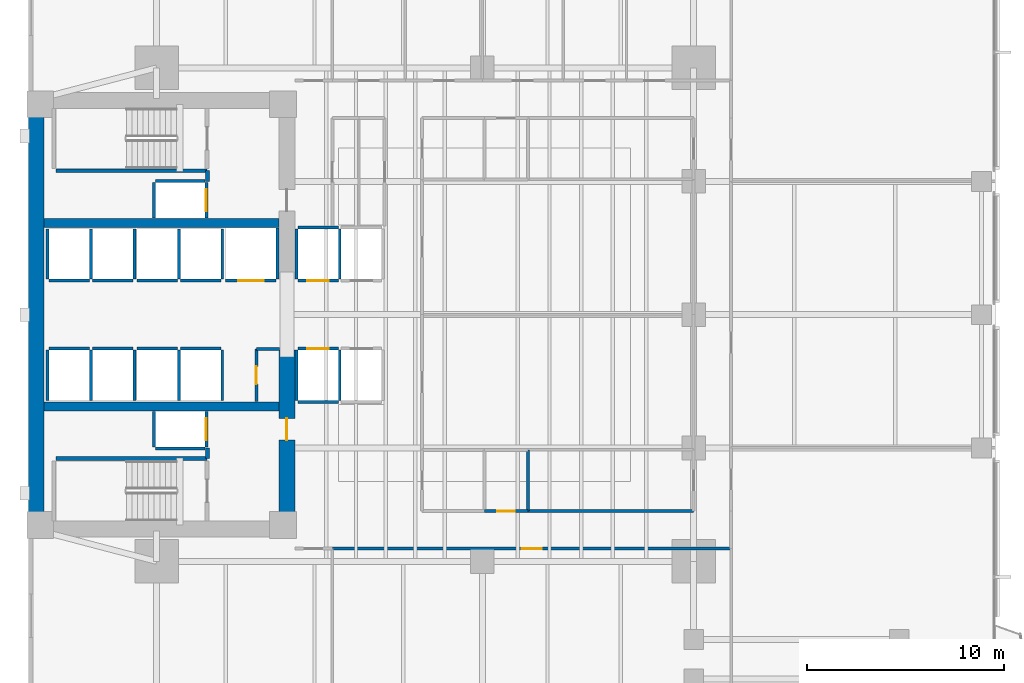
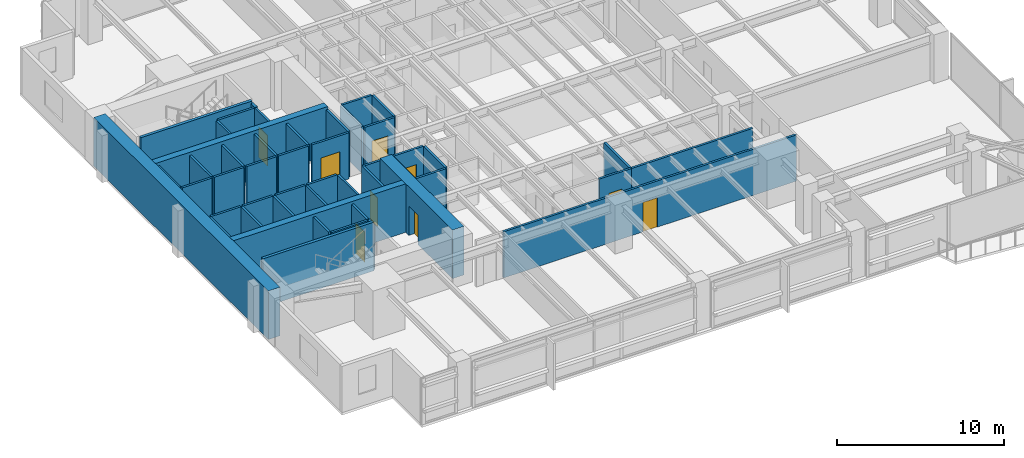
# One storey, part 8 of 15: 48 walls, 9 doors, 9 openings.
"""IFC4 building model written with IfcOpenShell, lengths in metres."""

from ifc_helpers import new_model, si_unit, direction, frame, frame_2d, origin, place, context, subcontext, project, spatial, rectangle, extrude, material, layer, layer_set, type_object, element, fill, save


model = new_model("IFC4")

# Units and contexts
model_context = context("Model", 3, precision=1e-05, world=origin(), true_north=direction((0.0, 1.0)))
body_context = subcontext(model_context, "Body", "Model", "MODEL_VIEW")
ifc_project = project(units=[si_unit("LENGTHUNIT", "METRE"), si_unit("AREAUNIT", "SQUARE_METRE"), si_unit("VOLUMEUNIT", "CUBIC_METRE"), si_unit("PLANEANGLEUNIT", "RADIAN"), si_unit("MASSUNIT", "GRAM", prefix="KILO")], contexts=[model_context])

# Site, building, storey
site_placement = place(None, origin())
site = spatial("IfcSite", under=ifc_project, at=site_placement, CompositionType="ELEMENT")
building_placement = place(site_placement, origin())
building = spatial("IfcBuilding", under=site, at=building_placement, Name="Kinhvarn Gate Tower", CompositionType="ELEMENT")
storey_placement = place(building_placement, frame((0.0, 0.0, 54.0)))
storey = spatial("IfcBuildingStorey", under=building, at=storey_placement, Name="L13", CompositionType="ELEMENT", Elevation=54.0)

# Walls
ifc_material_1 = material(Name="Concrete C50/60", Category="concrete")
ifc_layer_1 = layer(ifc_material_1, 0.449951171875)
ifc_layer_set_1 = layer_set([ifc_layer_1], Name="Concrete C50/60")
wall_type_1 = type_object("IfcWallType", Name="WL-CORE-450", PredefinedType="SHEAR", material=ifc_layer_set_1)
for number, where, z_axis, x_axis, name in (
    (1, (5.300048828125, 20.60009765625, 0.0), (0.0, 0.0, 1.0), (1.0, 0.0, 0.0), "Core South Spine Shear Wall L13 450 mm"),
    (2, (5.300048828125, 29.89990234375, 0.0), (0.0, 0.0, 1.0), (1.0, 0.0, 0.0), "Core North Spine Shear Wall L13 450 mm"),
):
    element("IfcWall", number, at=place(storey_placement, frame(where, z_axis=z_axis, x_axis=x_axis)), inside=storey, type_object=wall_type_1, Name=name, PredefinedType="SHEAR", context=body_context, shape_type="SweptSolid", body=[
        extrude(rectangle(XDim=11.89990234375, YDim=0.449951171875, at=frame_2d((5.949951171875, 0.0))), origin(), (0.0, 0.0, 1.0), 3.550048828125),
    ])

# Wall, opening, door
ifc_material_2 = material(Name="Concrete C70/85", Category="concrete")
ifc_layer_2 = layer(ifc_material_2, 0.800048828125)
ifc_layer_set_2 = layer_set([ifc_layer_2], Name="Concrete C70/85")
wall_type_2 = type_object("IfcWallType", Name="WL-CORE-800", PredefinedType="SHEAR", material=ifc_layer_set_2)
wall_1_placement = place(storey_placement, frame((17.60009765625, 14.800048828125, 0.0), z_axis=(0.0, 0.0, 1.0), x_axis=(0.0, 1.0, 0.0)))
wall_1 = element("IfcWall", 3, at=wall_1_placement, inside=storey, type_object=wall_type_2, Name="Core East-South Shear Pier L13 800 mm", PredefinedType="SHEAR", context=body_context, shape_type="SweptSolid", body=[
    extrude(rectangle(XDim=8.64990234375, YDim=0.800048828125, at=frame_2d((4.324951171875, 0.0))), origin(), (0.0, 0.0, 1.0), 3.550048828125),
])
opening_1_placement = place(wall_1_placement, frame((4.10009765625, 0.0, 0.0)))
opening_1 = element("IfcOpeningElement", 4, at=opening_1_placement, cuts=wall_1, Name="Opening FD-02", PredefinedType="OPENING", context=body_context, shape_type="SweptSolid", body=[
    extrude(rectangle(XDim=1.10009765625, YDim=2.14990234375, at=frame_2d((0.550048828125, 1.074951171875))), frame((0.0, 0.41015625, 0.0), z_axis=(0.0, -1.0, 0.0), x_axis=(1.0, 0.0, 0.0)), (0.0, 0.0, 1.0), 0.820068359375),
])
ifc_material_3 = material(Name="Anodised aluminium AW-6063", Category="aluminium")
door_type_1 = type_object("IfcDoorType", Name="DR-FD-1100", OperationType="NOTDEFINED", PredefinedType="DOOR", material=ifc_material_3)
door_1_placement = place(opening_1_placement, origin())
door_1 = element("IfcDoor", 5, at=door_1_placement, inside=storey, type_object=door_type_1, Name="Firefighting Lobby Core Door (L13)", OperationType="SINGLE_SWING_RIGHT", OverallHeight=2.14990234375, OverallWidth=1.10009765625, PredefinedType="DOOR", context=body_context, shape_type="SweptSolid", body=[
    extrude(rectangle(XDim=1.10009765625, YDim=2.14990234375, at=frame_2d((0.550048828125, 1.074951171875))), frame((0.0, 0.02490234375, 0.0), z_axis=(0.0, -1.0, 0.0), x_axis=(1.0, 0.0, 0.0)), (0.0, 0.0, 1.0), 0.050048828125),
])
fill(opening_1, door_1)

# Walls
ifc_layer_3 = layer(ifc_material_2, 0.800048828125)
ifc_layer_set_3 = layer_set([ifc_layer_3], Name="Concrete C70/85")
wall_type_3 = type_object("IfcWallType", Name="WL-COREX-800", PredefinedType="SHEAR", material=ifc_layer_set_3)
wall_2_placement = place(storey_placement, frame((4.89990234375, 14.800048828125, 0.0), z_axis=(0.0, 0.0, 1.0), x_axis=(0.0, 1.0, 0.0)))
element("IfcWall", 6, at=wall_2_placement, inside=storey, type_object=wall_type_3, Name="Core West Shear Wall L13 800 mm", PredefinedType="SHEAR", context=body_context, shape_type="SweptSolid", body=[
    extrude(rectangle(XDim=20.89990234375, YDim=0.800048828125, at=frame_2d((10.449951171875, 0.0))), origin(), (0.0, 0.0, 1.0), 3.550048828125),
])
ifc_material_4 = material(Name="Gypsum acoustic partition board")
ifc_layer_4 = layer(ifc_material_4, 0.14990234375)
ifc_layer_set_4 = layer_set([ifc_layer_4], Name="Gypsum acoustic partition board")
wall_type_4 = type_object("IfcWallType", Name="WL-PLM-150", PredefinedType="PLUMBINGWALL", material=ifc_layer_set_4)
wall_3_placement = place(storey_placement, frame((29.800048828125, 15.300048828125, 0.0), z_axis=(0.0, 0.0, 1.0), x_axis=(0.0, 1.0, 0.0)))
element("IfcWall", 7, at=wall_3_placement, inside=storey, type_object=wall_type_4, Name="Interior Partition PLW-150 (L13)", PredefinedType="PLUMBINGWALL", context=body_context, shape_type="SweptSolid", body=[
    extrude(rectangle(XDim=3.099853515625, YDim=0.14990234375, at=frame_2d((1.5498046875, 0.0))), origin(), (0.0, 0.0, 1.0), 3.3701171875),
])

# Wall, opening, door
ifc_layer_5 = layer(ifc_material_4, 0.14990234375)
ifc_layer_set_5 = layer_set([ifc_layer_5], Name="Gypsum acoustic partition board")
wall_type_5 = type_object("IfcWallType", Name="WL-PLM-150F", PredefinedType="PLUMBINGWALL", material=ifc_layer_set_5)
wall_4_placement = place(storey_placement, frame((27.60009765625, 15.300048828125, 0.0), z_axis=(0.0, 0.0, 1.0), x_axis=(1.0, 0.0, 0.0)))
wall_4 = element("IfcWall", 8, at=wall_4_placement, inside=storey, type_object=wall_type_5, Name="Interior Partition PLW-150F (L13)", PredefinedType="PLUMBINGWALL", context=body_context, shape_type="SweptSolid", body=[
    extrude(rectangle(XDim=2.199951171875, YDim=0.14990234375, at=frame_2d((1.10009765625, 0.0))), origin(), (0.0, 0.0, 1.0), 3.3701171875),
])
opening_2_placement = place(wall_4_placement, frame((0.64990234375, 0.0, 0.0)))
opening_2 = element("IfcOpeningElement", 9, at=opening_2_placement, cuts=wall_4, Name="Opening FD-04", PredefinedType="OPENING", context=body_context, shape_type="SweptSolid", body=[
    extrude(rectangle(XDim=0.89990234375, YDim=2.10009765625, at=frame_2d((0.449951171875, 1.050048828125))), frame((0.0, 0.0849609375, 0.0), z_axis=(0.0, -1.0, 0.0), x_axis=(1.0, 0.0, 0.0)), (0.0, 0.0, 1.0), 0.169921875),
])
door_type_2 = type_object("IfcDoorType", Name="DR-FD-900", OperationType="NOTDEFINED", PredefinedType="DOOR", material=ifc_material_3)
door_2_placement = place(opening_2_placement, origin())
door_2 = element("IfcDoor", 10, at=door_2_placement, inside=storey, type_object=door_type_2, Name="Rated Riser & Service Closet Fire Door 900x2100 mm (L13)", OperationType="SINGLE_SWING_LEFT", OverallHeight=2.10009765625, OverallWidth=0.89990234375, PredefinedType="DOOR", context=body_context, shape_type="SweptSolid", body=[
    extrude(rectangle(XDim=0.89990234375, YDim=2.10009765625, at=frame_2d((0.449951171875, 1.050048828125))), frame((0.0, 0.02490234375, 0.0), z_axis=(0.0, -1.0, 0.0), x_axis=(1.0, 0.0, 0.0)), (0.0, 0.0, 1.0), 0.050048828125),
])
fill(opening_2, door_2)

ifc_layer_6 = layer(ifc_material_4, 0.14990234375)
ifc_layer_set_6 = layer_set([ifc_layer_6], Name="Gypsum acoustic partition board")
wall_type_6 = type_object("IfcWallType", Name="WL-PRT-150F", PredefinedType="PARTITIONING", material=ifc_layer_set_6)
wall_5_placement = place(storey_placement, frame((16.050048828125, 20.85009765625, 0.0), z_axis=(0.0, 0.0, 1.0), x_axis=(0.0, 1.0, 0.0)))
wall_5 = element("IfcWall", 11, at=wall_5_placement, inside=storey, type_object=wall_type_6, Name="Interior Partition PW-150F (L13)", PredefinedType="PARTITIONING", context=body_context, shape_type="SweptSolid", body=[
    extrude(rectangle(XDim=2.669921875, YDim=0.14990234375, at=frame_2d((1.3349609375, 0.0))), origin(), (0.0, 0.0, 1.0), 3.3701171875),
])
opening_3_placement = place(wall_5_placement, frame((0.885009765625, 0.0, 0.0)))
opening_3 = element("IfcOpeningElement", 12, at=opening_3_placement, cuts=wall_5, Name="Opening FD-04", PredefinedType="OPENING", context=body_context, shape_type="SweptSolid", body=[
    extrude(rectangle(XDim=0.89990234375, YDim=2.10009765625, at=frame_2d((0.449951171875, 1.050048828125))), frame((0.0, 0.0849609375, 0.0), z_axis=(0.0, -1.0, 0.0), x_axis=(1.0, 0.0, 0.0)), (0.0, 0.0, 1.0), 0.169921875),
])
door_3_placement = place(opening_3_placement, origin())
door_3 = element("IfcDoor", 13, at=door_3_placement, inside=storey, type_object=door_type_2, Name="Rated Riser & Service Closet Fire Door 900x2100 mm (L13)", OperationType="SINGLE_SWING_RIGHT", OverallHeight=2.10009765625, OverallWidth=0.89990234375, PredefinedType="DOOR", context=body_context, shape_type="SweptSolid", body=[
    extrude(rectangle(XDim=0.89990234375, YDim=2.10009765625, at=frame_2d((0.449951171875, 1.050048828125))), frame((0.0, 0.02490234375, 0.0), z_axis=(0.0, -1.0, 0.0), x_axis=(1.0, 0.0, 0.0)), (0.0, 0.0, 1.0), 0.050048828125),
])
fill(opening_3, door_3)

# Walls
wall_6_placement = place(storey_placement, frame((16.050048828125, 23.52001953125, 0.0), z_axis=(0.0, 0.0, 1.0), x_axis=(1.0, 0.0, 0.0)))
element("IfcWall", 14, at=wall_6_placement, inside=storey, type_object=wall_type_6, Name="Interior Partition PW-150F (L13)", PredefinedType="PARTITIONING", context=body_context, shape_type="SweptSolid", body=[
    extrude(rectangle(XDim=1.169921875, YDim=0.14990234375, at=frame_2d((0.5849609375, 0.0))), origin(), (0.0, 0.0, 1.0), 3.3701171875),
])
wall_7_placement = place(storey_placement, frame((29.800048828125, 15.300048828125, 0.0), z_axis=(0.0, 0.0, 1.0), x_axis=(1.0, 0.0, 0.0)))
element("IfcWall", 15, at=wall_7_placement, inside=storey, type_object=wall_type_6, Name="Interior Partition PW-150F (L13)", PredefinedType="PARTITIONING", context=body_context, shape_type="SweptSolid", body=[
    extrude(rectangle(XDim=8.39990234375, YDim=0.14990234375, at=frame_2d((4.199951171875, 0.0))), origin(), (0.0, 0.0, 1.0), 3.3701171875),
])

# Wall, opening, door
wall_8_placement = place(storey_placement, frame((19.89990234375, 13.39990234375, 0.0), z_axis=(0.0, 0.0, 1.0), x_axis=(1.0, 0.0, 0.0)))
wall_8 = element("IfcWall", 16, at=wall_8_placement, inside=storey, type_object=wall_type_6, Name="Interior Partition PW-150F (L13)", PredefinedType="PARTITIONING", context=body_context, shape_type="SweptSolid", body=[
    extrude(rectangle(XDim=20.2001953125, YDim=0.14990234375, at=frame_2d((10.10009765625, 0.0))), origin(), (0.0, 0.0, 1.0), 3.3701171875),
])
opening_4_placement = place(wall_8_placement, frame((9.60009765625, 0.0, 0.0)))
opening_4 = element("IfcOpeningElement", 17, at=opening_4_placement, cuts=wall_8, Name="Opening ID-02", PredefinedType="OPENING", context=body_context, shape_type="SweptSolid", body=[
    extrude(rectangle(XDim=1.0, YDim=2.14990234375, at=frame_2d((0.5, 1.074951171875))), frame((0.0, 0.0849609375, 0.0), z_axis=(0.0, -1.0, 0.0), x_axis=(1.0, 0.0, 0.0)), (0.0, 0.0, 1.0), 0.169921875),
])
door_type_3 = type_object("IfcDoorType", Name="DR-INT-1000", OperationType="NOTDEFINED", PredefinedType="DOOR", material=ifc_material_3)
door_4_placement = place(opening_4_placement, origin())
door_4 = element("IfcDoor", 18, at=door_4_placement, inside=storey, type_object=door_type_3, Name="Standard Office & Meeting Room Door 1000x2150 mm (L13)", OperationType="SINGLE_SWING_LEFT", OverallHeight=2.14990234375, OverallWidth=1.0, PredefinedType="DOOR", context=body_context, shape_type="SweptSolid", body=[
    extrude(rectangle(XDim=1.0, YDim=2.14990234375, at=frame_2d((0.5, 1.074951171875))), frame((0.0, 0.02490234375, 0.0), z_axis=(0.0, -1.0, 0.0), x_axis=(1.0, 0.0, 0.0)), (0.0, 0.0, 1.0), 0.050048828125),
])
fill(opening_4, door_4)

# Walls
ifc_layer_7 = layer(ifc_material_4, 0.199951171875)
ifc_layer_set_7 = layer_set([ifc_layer_7], Name="Gypsum acoustic partition board")
wall_type_7 = type_object("IfcWallType", Name="WL-PRT-200", PredefinedType="PARTITIONING", material=ifc_layer_set_7)
for number, where, z_axis, x_axis, name in (
    (19, (13.580078125, 17.9599609375, 0.0), (0.0, 0.0, 1.0), (0.0, 1.0, 0.0), "Interior Partition PW-200 (L13)"),
    (20, (13.580078125, 32.0, 0.0), (0.0, 0.0, 1.0), (0.0, 1.0, 0.0), "Interior Partition PW-200 (L13)"),
):
    element("IfcWall", number, at=place(storey_placement, frame(where, z_axis=z_axis, x_axis=x_axis)), inside=storey, type_object=wall_type_7, Name=name, PredefinedType="PARTITIONING", context=body_context, shape_type="SweptSolid", body=[
        extrude(rectangle(XDim=0.5400390625, YDim=0.199951171875, at=frame_2d((0.27001953125, 0.0))), origin(), (0.0, 0.0, 1.0), 3.3701171875),
    ])
ifc_layer_8 = layer(ifc_material_4, 0.14990234375)
ifc_layer_set_8 = layer_set([ifc_layer_8], Name="Gypsum acoustic partition board")
wall_type_8 = type_object("IfcWallType", Name="WL-SHF-150", PredefinedType="PARTITIONING", material=ifc_layer_set_8)
wall_9_placement = place(storey_placement, frame((18.14990234375, 20.824951171875, 0.0), z_axis=(0.0, 0.0, 1.0), x_axis=(1.0, 0.0, 0.0)))
element("IfcWall", 21, at=wall_9_placement, inside=storey, type_object=wall_type_8, Name="Elevator PL-01 Hoistway Wall S (L13)", PredefinedType="PARTITIONING", context=body_context, shape_type="SweptSolid", body=[
    extrude(rectangle(XDim=2.050048828125, YDim=0.14990234375, at=frame_2d((1.02490234375, 0.0))), origin(), (0.0, 0.0, 1.0), 3.3701171875),
])

# Wall, opening, door
wall_10_placement = place(storey_placement, frame((18.14990234375, 23.52490234375, 0.0), z_axis=(0.0, 0.0, 1.0), x_axis=(1.0, 0.0, 0.0)))
wall_10 = element("IfcWall", 22, at=wall_10_placement, inside=storey, type_object=wall_type_8, Name="Elevator PL-01 Landing Wall (L13)", PredefinedType="PARTITIONING", context=body_context, shape_type="SweptSolid", body=[
    extrude(rectangle(XDim=2.050048828125, YDim=0.14990234375, at=frame_2d((1.02490234375, 0.0))), origin(), (0.0, 0.0, 1.0), 3.3701171875),
])
opening_5_placement = place(wall_10_placement, frame((0.47509765625, 0.0, 0.0)))
opening_5 = element("IfcOpeningElement", 23, at=opening_5_placement, cuts=wall_10, Name="Opening LD-01", PredefinedType="OPENING", context=body_context, shape_type="SweptSolid", body=[
    extrude(rectangle(XDim=1.10009765625, YDim=2.199951171875, at=frame_2d((0.550048828125, 1.10009765625))), frame((0.0, 0.0849609375, 0.0), z_axis=(0.0, -1.0, 0.0), x_axis=(1.0, 0.0, 0.0)), (0.0, 0.0, 1.0), 0.169921875),
])
door_type_4 = type_object("IfcDoorType", Name="DR-LND-PAS", OperationType="NOTDEFINED", PredefinedType="DOOR", material=ifc_material_3)
door_5_placement = place(opening_5_placement, origin())
door_5 = element("IfcDoor", 24, at=door_5_placement, inside=storey, type_object=door_type_4, Name="Elevator PL-01 Sliding Landing Door (L13)", OperationType="DOUBLE_DOOR_SLIDING", OverallHeight=2.199951171875, OverallWidth=1.10009765625, PredefinedType="DOOR", context=body_context, shape_type="SweptSolid", body=[
    extrude(rectangle(XDim=1.10009765625, YDim=2.199951171875, at=frame_2d((0.550048828125, 1.10009765625))), frame((0.0, 0.02490234375, 0.0), z_axis=(0.0, -1.0, 0.0), x_axis=(1.0, 0.0, 0.0)), (0.0, 0.0, 1.0), 0.050048828125),
])
fill(opening_5, door_5)

# Walls
for number, where, z_axis, x_axis, name in (
    (25, (18.074951171875, 20.89990234375, 0.0), (0.0, 0.0, 1.0), (0.0, 1.0, 0.0), "Elevator PL-01 Hoistway Wall W (L13)"),
    (26, (20.27490234375, 20.89990234375, 0.0), (0.0, 0.0, 1.0), (0.0, 1.0, 0.0), "Elevator PL-01 Hoistway Wall E (L13)"),
):
    element("IfcWall", number, at=place(storey_placement, frame(where, z_axis=z_axis, x_axis=x_axis)), inside=storey, type_object=wall_type_8, Name=name, PredefinedType="PARTITIONING", context=body_context, shape_type="SweptSolid", body=[
        extrude(rectangle(XDim=2.550048828125, YDim=0.14990234375, at=frame_2d((1.27490234375, 0.0))), origin(), (0.0, 0.0, 1.0), 3.3701171875),
    ])

# Wall, opening, door
wall_11_placement = place(storey_placement, frame((18.14990234375, 26.97509765625, 0.0), z_axis=(0.0, 0.0, 1.0), x_axis=(1.0, 0.0, 0.0)))
wall_11 = element("IfcWall", 27, at=wall_11_placement, inside=storey, type_object=wall_type_8, Name="Elevator PL-03 Landing Wall (L13)", PredefinedType="PARTITIONING", context=body_context, shape_type="SweptSolid", body=[
    extrude(rectangle(XDim=2.050048828125, YDim=0.14990234375, at=frame_2d((1.02490234375, 0.0))), origin(), (0.0, 0.0, 1.0), 3.3701171875),
])
opening_6_placement = place(wall_11_placement, frame((0.47509765625, 0.0, 0.0)))
opening_6 = element("IfcOpeningElement", 28, at=opening_6_placement, cuts=wall_11, Name="Opening LD-01", PredefinedType="OPENING", context=body_context, shape_type="SweptSolid", body=[
    extrude(rectangle(XDim=1.10009765625, YDim=2.199951171875, at=frame_2d((0.550048828125, 1.10009765625))), frame((0.0, 0.0849609375, 0.0), z_axis=(0.0, -1.0, 0.0), x_axis=(1.0, 0.0, 0.0)), (0.0, 0.0, 1.0), 0.169921875),
])
door_6_placement = place(opening_6_placement, origin())
door_6 = element("IfcDoor", 29, at=door_6_placement, inside=storey, type_object=door_type_4, Name="Elevator PL-03 Sliding Landing Door (L13)", OperationType="DOUBLE_DOOR_SLIDING", OverallHeight=2.199951171875, OverallWidth=1.10009765625, PredefinedType="DOOR", context=body_context, shape_type="SweptSolid", body=[
    extrude(rectangle(XDim=1.10009765625, YDim=2.199951171875, at=frame_2d((0.550048828125, 1.10009765625))), frame((0.0, 0.02490234375, 0.0), z_axis=(0.0, -1.0, 0.0), x_axis=(1.0, 0.0, 0.0)), (0.0, 0.0, 1.0), 0.050048828125),
])
fill(opening_6, door_6)

# Walls
wall_12_placement = place(storey_placement, frame((18.14990234375, 29.675048828125, 0.0), z_axis=(0.0, 0.0, 1.0), x_axis=(1.0, 0.0, 0.0)))
element("IfcWall", 30, at=wall_12_placement, inside=storey, type_object=wall_type_8, Name="Elevator PL-03 Hoistway Wall N (L13)", PredefinedType="PARTITIONING", context=body_context, shape_type="SweptSolid", body=[
    extrude(rectangle(XDim=2.050048828125, YDim=0.14990234375, at=frame_2d((1.02490234375, 0.0))), origin(), (0.0, 0.0, 1.0), 3.3701171875),
])
for number, where, z_axis, x_axis, name in (
    (31, (18.074951171875, 27.050048828125, 0.0), (0.0, 0.0, 1.0), (0.0, 1.0, 0.0), "Elevator PL-03 Hoistway Wall W (L13)"),
    (32, (20.27490234375, 27.050048828125, 0.0), (0.0, 0.0, 1.0), (0.0, 1.0, 0.0), "Elevator PL-03 Hoistway Wall E (L13)"),
):
    element("IfcWall", number, at=place(storey_placement, frame(where, z_axis=z_axis, x_axis=x_axis)), inside=storey, type_object=wall_type_8, Name=name, PredefinedType="PARTITIONING", context=body_context, shape_type="SweptSolid", body=[
        extrude(rectangle(XDim=2.550048828125, YDim=0.14990234375, at=frame_2d((1.27490234375, 0.0))), origin(), (0.0, 0.0, 1.0), 3.3701171875),
    ])
wall_13_placement = place(storey_placement, frame((5.550048828125, 23.52490234375, 0.0), z_axis=(0.0, 0.0, 1.0), x_axis=(1.0, 0.0, 0.0)))
element("IfcWall", 33, at=wall_13_placement, inside=storey, type_object=wall_type_8, Name="Elevator PM-05 Landing Wall (L13)", PredefinedType="PARTITIONING", context=body_context, shape_type="SweptSolid", body=[
    extrude(rectangle(XDim=2.050048828125, YDim=0.14990234375, at=frame_2d((1.02490234375, 0.0))), origin(), (0.0, 0.0, 1.0), 3.3701171875),
])
for number, where, z_axis, x_axis, name in (
    (34, (5.47509765625, 20.89990234375, 0.0), (0.0, 0.0, 1.0), (0.0, 1.0, 0.0), "Elevator PM-05 Hoistway Wall W (L13)"),
    (35, (7.675048828125, 20.89990234375, 0.0), (0.0, 0.0, 1.0), (0.0, 1.0, 0.0), "Elevator PM-05 Hoistway Wall E (L13)"),
):
    element("IfcWall", number, at=place(storey_placement, frame(where, z_axis=z_axis, x_axis=x_axis)), inside=storey, type_object=wall_type_8, Name=name, PredefinedType="PARTITIONING", context=body_context, shape_type="SweptSolid", body=[
        extrude(rectangle(XDim=2.550048828125, YDim=0.14990234375, at=frame_2d((1.27490234375, 0.0))), origin(), (0.0, 0.0, 1.0), 3.3701171875),
    ])
wall_14_placement = place(storey_placement, frame((7.75, 23.52490234375, 0.0), z_axis=(0.0, 0.0, 1.0), x_axis=(1.0, 0.0, 0.0)))
element("IfcWall", 36, at=wall_14_placement, inside=storey, type_object=wall_type_8, Name="Elevator PM-06 Landing Wall (L13)", PredefinedType="PARTITIONING", context=body_context, shape_type="SweptSolid", body=[
    extrude(rectangle(XDim=2.050048828125, YDim=0.14990234375, at=frame_2d((1.02490234375, 0.0))), origin(), (0.0, 0.0, 1.0), 3.3701171875),
])
wall_15_placement = place(storey_placement, frame((9.875, 20.89990234375, 0.0), z_axis=(0.0, 0.0, 1.0), x_axis=(0.0, 1.0, 0.0)))
element("IfcWall", 37, at=wall_15_placement, inside=storey, type_object=wall_type_8, Name="Elevator PM-06 Hoistway Wall E (L13)", PredefinedType="PARTITIONING", context=body_context, shape_type="SweptSolid", body=[
    extrude(rectangle(XDim=2.550048828125, YDim=0.14990234375, at=frame_2d((1.27490234375, 0.0))), origin(), (0.0, 0.0, 1.0), 3.3701171875),
])
wall_16_placement = place(storey_placement, frame((5.550048828125, 26.97509765625, 0.0), z_axis=(0.0, 0.0, 1.0), x_axis=(1.0, 0.0, 0.0)))
element("IfcWall", 38, at=wall_16_placement, inside=storey, type_object=wall_type_8, Name="Elevator PM-07 Landing Wall (L13)", PredefinedType="PARTITIONING", context=body_context, shape_type="SweptSolid", body=[
    extrude(rectangle(XDim=2.050048828125, YDim=0.14990234375, at=frame_2d((1.02490234375, 0.0))), origin(), (0.0, 0.0, 1.0), 3.3701171875),
])
for number, where, z_axis, x_axis, name in (
    (39, (5.47509765625, 27.050048828125, 0.0), (0.0, 0.0, 1.0), (0.0, 1.0, 0.0), "Elevator PM-07 Hoistway Wall W (L13)"),
    (40, (7.675048828125, 27.050048828125, 0.0), (0.0, 0.0, 1.0), (0.0, 1.0, 0.0), "Elevator PM-07 Hoistway Wall E (L13)"),
):
    element("IfcWall", number, at=place(storey_placement, frame(where, z_axis=z_axis, x_axis=x_axis)), inside=storey, type_object=wall_type_8, Name=name, PredefinedType="PARTITIONING", context=body_context, shape_type="SweptSolid", body=[
        extrude(rectangle(XDim=2.550048828125, YDim=0.14990234375, at=frame_2d((1.27490234375, 0.0))), origin(), (0.0, 0.0, 1.0), 3.3701171875),
    ])
wall_17_placement = place(storey_placement, frame((7.75, 26.97509765625, 0.0), z_axis=(0.0, 0.0, 1.0), x_axis=(1.0, 0.0, 0.0)))
element("IfcWall", 41, at=wall_17_placement, inside=storey, type_object=wall_type_8, Name="Elevator PM-08 Landing Wall (L13)", PredefinedType="PARTITIONING", context=body_context, shape_type="SweptSolid", body=[
    extrude(rectangle(XDim=2.050048828125, YDim=0.14990234375, at=frame_2d((1.02490234375, 0.0))), origin(), (0.0, 0.0, 1.0), 3.3701171875),
])
wall_18_placement = place(storey_placement, frame((9.875, 27.050048828125, 0.0), z_axis=(0.0, 0.0, 1.0), x_axis=(0.0, 1.0, 0.0)))
element("IfcWall", 42, at=wall_18_placement, inside=storey, type_object=wall_type_8, Name="Elevator PM-08 Hoistway Wall E (L13)", PredefinedType="PARTITIONING", context=body_context, shape_type="SweptSolid", body=[
    extrude(rectangle(XDim=2.550048828125, YDim=0.14990234375, at=frame_2d((1.27490234375, 0.0))), origin(), (0.0, 0.0, 1.0), 3.3701171875),
])
wall_19_placement = place(storey_placement, frame((10.0, 23.52490234375, 0.0), z_axis=(0.0, 0.0, 1.0), x_axis=(1.0, 0.0, 0.0)))
element("IfcWall", 43, at=wall_19_placement, inside=storey, type_object=wall_type_8, Name="Elevator PH-09 Landing Wall (L13)", PredefinedType="PARTITIONING", context=body_context, shape_type="SweptSolid", body=[
    extrude(rectangle(XDim=2.050048828125, YDim=0.14990234375, at=frame_2d((1.02490234375, 0.0))), origin(), (0.0, 0.0, 1.0), 3.3701171875),
])
wall_20_placement = place(storey_placement, frame((12.125, 20.89990234375, 0.0), z_axis=(0.0, 0.0, 1.0), x_axis=(0.0, 1.0, 0.0)))
element("IfcWall", 44, at=wall_20_placement, inside=storey, type_object=wall_type_8, Name="Elevator PH-09 Hoistway Wall E (L13)", PredefinedType="PARTITIONING", context=body_context, shape_type="SweptSolid", body=[
    extrude(rectangle(XDim=2.550048828125, YDim=0.14990234375, at=frame_2d((1.27490234375, 0.0))), origin(), (0.0, 0.0, 1.0), 3.3701171875),
])
wall_21_placement = place(storey_placement, frame((12.199951171875, 23.52490234375, 0.0), z_axis=(0.0, 0.0, 1.0), x_axis=(1.0, 0.0, 0.0)))
element("IfcWall", 45, at=wall_21_placement, inside=storey, type_object=wall_type_8, Name="Elevator PH-10 Landing Wall (L13)", PredefinedType="PARTITIONING", context=body_context, shape_type="SweptSolid", body=[
    extrude(rectangle(XDim=2.050048828125, YDim=0.14990234375, at=frame_2d((1.02490234375, 0.0))), origin(), (0.0, 0.0, 1.0), 3.3701171875),
])
wall_22_placement = place(storey_placement, frame((14.324951171875, 20.89990234375, 0.0), z_axis=(0.0, 0.0, 1.0), x_axis=(0.0, 1.0, 0.0)))
element("IfcWall", 46, at=wall_22_placement, inside=storey, type_object=wall_type_8, Name="Elevator PH-10 Hoistway Wall E (L13)", PredefinedType="PARTITIONING", context=body_context, shape_type="SweptSolid", body=[
    extrude(rectangle(XDim=2.550048828125, YDim=0.14990234375, at=frame_2d((1.27490234375, 0.0))), origin(), (0.0, 0.0, 1.0), 3.3701171875),
])
wall_23_placement = place(storey_placement, frame((10.0, 26.97509765625, 0.0), z_axis=(0.0, 0.0, 1.0), x_axis=(1.0, 0.0, 0.0)))
element("IfcWall", 47, at=wall_23_placement, inside=storey, type_object=wall_type_8, Name="Elevator PH-11 Landing Wall (L13)", PredefinedType="PARTITIONING", context=body_context, shape_type="SweptSolid", body=[
    extrude(rectangle(XDim=2.050048828125, YDim=0.14990234375, at=frame_2d((1.02490234375, 0.0))), origin(), (0.0, 0.0, 1.0), 3.3701171875),
])
wall_24_placement = place(storey_placement, frame((12.125, 27.050048828125, 0.0), z_axis=(0.0, 0.0, 1.0), x_axis=(0.0, 1.0, 0.0)))
element("IfcWall", 48, at=wall_24_placement, inside=storey, type_object=wall_type_8, Name="Elevator PH-11 Hoistway Wall E (L13)", PredefinedType="PARTITIONING", context=body_context, shape_type="SweptSolid", body=[
    extrude(rectangle(XDim=2.550048828125, YDim=0.14990234375, at=frame_2d((1.27490234375, 0.0))), origin(), (0.0, 0.0, 1.0), 3.3701171875),
])
wall_25_placement = place(storey_placement, frame((12.199951171875, 26.97509765625, 0.0), z_axis=(0.0, 0.0, 1.0), x_axis=(1.0, 0.0, 0.0)))
element("IfcWall", 49, at=wall_25_placement, inside=storey, type_object=wall_type_8, Name="Elevator PH-12 Landing Wall (L13)", PredefinedType="PARTITIONING", context=body_context, shape_type="SweptSolid", body=[
    extrude(rectangle(XDim=2.050048828125, YDim=0.14990234375, at=frame_2d((1.02490234375, 0.0))), origin(), (0.0, 0.0, 1.0), 3.3701171875),
])
wall_26_placement = place(storey_placement, frame((14.324951171875, 27.050048828125, 0.0), z_axis=(0.0, 0.0, 1.0), x_axis=(0.0, 1.0, 0.0)))
element("IfcWall", 50, at=wall_26_placement, inside=storey, type_object=wall_type_8, Name="Elevator PH-12 Hoistway Wall E (L13)", PredefinedType="PARTITIONING", context=body_context, shape_type="SweptSolid", body=[
    extrude(rectangle(XDim=2.550048828125, YDim=0.14990234375, at=frame_2d((1.27490234375, 0.0))), origin(), (0.0, 0.0, 1.0), 3.3701171875),
])

# Wall, opening, door
wall_27_placement = place(storey_placement, frame((14.5, 26.97509765625, 0.0), z_axis=(0.0, 0.0, 1.0), x_axis=(1.0, 0.0, 0.0)))
wall_27 = element("IfcWall", 51, at=wall_27_placement, inside=storey, type_object=wall_type_8, Name="Elevator SV-01 Landing Wall (L13)", PredefinedType="PARTITIONING", context=body_context, shape_type="SweptSolid", body=[
    extrude(rectangle(XDim=2.550048828125, YDim=0.14990234375, at=frame_2d((1.27490234375, 0.0))), origin(), (0.0, 0.0, 1.0), 3.3701171875),
])
opening_7_placement = place(wall_27_placement, frame((0.625, 0.0, 0.0)))
opening_7 = element("IfcOpeningElement", 52, at=opening_7_placement, cuts=wall_27, Name="Opening LD-02", PredefinedType="OPENING", context=body_context, shape_type="SweptSolid", body=[
    extrude(rectangle(XDim=1.300048828125, YDim=2.199951171875, at=frame_2d((0.64990234375, 1.10009765625))), frame((0.0, 0.0849609375, 0.0), z_axis=(0.0, -1.0, 0.0), x_axis=(1.0, 0.0, 0.0)), (0.0, 0.0, 1.0), 0.169921875),
])
door_type_5 = type_object("IfcDoorType", Name="DR-LND-SRV", OperationType="NOTDEFINED", PredefinedType="DOOR", material=ifc_material_3)
door_7_placement = place(opening_7_placement, origin())
door_7 = element("IfcDoor", 53, at=door_7_placement, inside=storey, type_object=door_type_5, Name="Elevator SV-01 Sliding Landing Door (L13)", OperationType="DOUBLE_DOOR_SLIDING", OverallHeight=2.199951171875, OverallWidth=1.300048828125, PredefinedType="DOOR", context=body_context, shape_type="SweptSolid", body=[
    extrude(rectangle(XDim=1.300048828125, YDim=2.199951171875, at=frame_2d((0.64990234375, 1.10009765625))), frame((0.0, 0.02490234375, 0.0), z_axis=(0.0, -1.0, 0.0), x_axis=(1.0, 0.0, 0.0)), (0.0, 0.0, 1.0), 0.050048828125),
])
fill(opening_7, door_7)

# Walls
wall_28_placement = place(storey_placement, frame((17.125, 27.050048828125, 0.0), z_axis=(0.0, 0.0, 1.0), x_axis=(0.0, 1.0, 0.0)))
element("IfcWall", 54, at=wall_28_placement, inside=storey, type_object=wall_type_8, Name="Elevator SV-01 Hoistway Wall E (L13)", PredefinedType="PARTITIONING", context=body_context, shape_type="SweptSolid", body=[
    extrude(rectangle(XDim=2.599853515625, YDim=0.14990234375, at=frame_2d((1.2998046875, 0.0))), origin(), (0.0, 0.0, 1.0), 3.3701171875),
])
wall_29_placement = place(storey_placement, frame((10.949951171875, 18.47509765625, 0.0), z_axis=(0.0, 0.0, 1.0), x_axis=(1.0, 0.0, 0.0)))
element("IfcWall", 55, at=wall_29_placement, inside=storey, type_object=wall_type_8, Name="Elevator FF1 Hoistway Wall S (L13)", PredefinedType="PARTITIONING", context=body_context, shape_type="SweptSolid", body=[
    extrude(rectangle(XDim=2.5, YDim=0.14990234375, at=frame_2d((1.25, 0.0))), origin(), (0.0, 0.0, 1.0), 3.3701171875),
])
wall_30_placement = place(storey_placement, frame((10.875, 18.550048828125, 0.0), z_axis=(0.0, 0.0, 1.0), x_axis=(0.0, 1.0, 0.0)))
element("IfcWall", 56, at=wall_30_placement, inside=storey, type_object=wall_type_8, Name="Elevator FF1 Hoistway Wall W (L13)", PredefinedType="PARTITIONING", context=body_context, shape_type="SweptSolid", body=[
    extrude(rectangle(XDim=1.800048828125, YDim=0.14990234375, at=frame_2d((0.89990234375, 0.0))), origin(), (0.0, 0.0, 1.0), 3.3701171875),
])

# Wall, opening, door
wall_31_placement = place(storey_placement, frame((13.52490234375, 18.550048828125, 0.0), z_axis=(0.0, 0.0, 1.0), x_axis=(0.0, 1.0, 0.0)))
wall_31 = element("IfcWall", 57, at=wall_31_placement, inside=storey, type_object=wall_type_8, Name="Elevator FF1 Landing Wall (L13)", PredefinedType="PARTITIONING", context=body_context, shape_type="SweptSolid", body=[
    extrude(rectangle(XDim=1.800048828125, YDim=0.14990234375, at=frame_2d((0.89990234375, 0.0))), origin(), (0.0, 0.0, 1.0), 3.3701171875),
])
opening_8_placement = place(wall_31_placement, frame((0.35009765625, 0.0, 0.0)))
opening_8 = element("IfcOpeningElement", 58, at=opening_8_placement, cuts=wall_31, Name="Opening LD-03", PredefinedType="OPENING", context=body_context, shape_type="SweptSolid", body=[
    extrude(rectangle(XDim=1.10009765625, YDim=2.199951171875, at=frame_2d((0.550048828125, 1.10009765625))), frame((0.0, 0.0849609375, 0.0), z_axis=(0.0, -1.0, 0.0), x_axis=(1.0, 0.0, 0.0)), (0.0, 0.0, 1.0), 0.169921875),
])
door_type_6 = type_object("IfcDoorType", Name="DR-LND-FF", OperationType="NOTDEFINED", PredefinedType="DOOR", material=ifc_material_3)
door_8_placement = place(opening_8_placement, origin())
door_8 = element("IfcDoor", 59, at=door_8_placement, inside=storey, type_object=door_type_6, Name="Elevator FF1 Sliding Landing Door (L13)", OperationType="DOUBLE_DOOR_SLIDING", OverallHeight=2.199951171875, OverallWidth=1.10009765625, PredefinedType="DOOR", context=body_context, shape_type="SweptSolid", body=[
    extrude(rectangle(XDim=1.10009765625, YDim=2.199951171875, at=frame_2d((0.550048828125, 1.10009765625))), frame((0.0, 0.02490234375, 0.0), z_axis=(0.0, -1.0, 0.0), x_axis=(1.0, 0.0, 0.0)), (0.0, 0.0, 1.0), 0.050048828125),
])
fill(opening_8, door_8)

# Walls
wall_32_placement = place(storey_placement, frame((10.949951171875, 32.02490234375, 0.0), z_axis=(0.0, 0.0, 1.0), x_axis=(1.0, 0.0, 0.0)))
element("IfcWall", 60, at=wall_32_placement, inside=storey, type_object=wall_type_8, Name="Elevator FF2 Hoistway Wall N (L13)", PredefinedType="PARTITIONING", context=body_context, shape_type="SweptSolid", body=[
    extrude(rectangle(XDim=2.5, YDim=0.14990234375, at=frame_2d((1.25, 0.0))), origin(), (0.0, 0.0, 1.0), 3.3701171875),
])
wall_33_placement = place(storey_placement, frame((10.875, 30.14990234375, 0.0), z_axis=(0.0, 0.0, 1.0), x_axis=(0.0, 1.0, 0.0)))
element("IfcWall", 61, at=wall_33_placement, inside=storey, type_object=wall_type_8, Name="Elevator FF2 Hoistway Wall W (L13)", PredefinedType="PARTITIONING", context=body_context, shape_type="SweptSolid", body=[
    extrude(rectangle(XDim=1.800048828125, YDim=0.14990234375, at=frame_2d((0.89990234375, 0.0))), origin(), (0.0, 0.0, 1.0), 3.3701171875),
])

# Wall, opening, door
wall_34_placement = place(storey_placement, frame((13.52490234375, 30.14990234375, 0.0), z_axis=(0.0, 0.0, 1.0), x_axis=(0.0, 1.0, 0.0)))
wall_34 = element("IfcWall", 62, at=wall_34_placement, inside=storey, type_object=wall_type_8, Name="Elevator FF2 Landing Wall (L13)", PredefinedType="PARTITIONING", context=body_context, shape_type="SweptSolid", body=[
    extrude(rectangle(XDim=1.800048828125, YDim=0.14990234375, at=frame_2d((0.89990234375, 0.0))), origin(), (0.0, 0.0, 1.0), 3.3701171875),
])
opening_9_placement = place(wall_34_placement, frame((0.35009765625, 0.0, 0.0)))
opening_9 = element("IfcOpeningElement", 63, at=opening_9_placement, cuts=wall_34, Name="Opening LD-03", PredefinedType="OPENING", context=body_context, shape_type="SweptSolid", body=[
    extrude(rectangle(XDim=1.10009765625, YDim=2.199951171875, at=frame_2d((0.550048828125, 1.10009765625))), frame((0.0, 0.0849609375, 0.0), z_axis=(0.0, -1.0, 0.0), x_axis=(1.0, 0.0, 0.0)), (0.0, 0.0, 1.0), 0.169921875),
])
door_9_placement = place(opening_9_placement, origin())
door_9 = element("IfcDoor", 64, at=door_9_placement, inside=storey, type_object=door_type_6, Name="Elevator FF2 Sliding Landing Door (L13)", OperationType="DOUBLE_DOOR_SLIDING", OverallHeight=2.199951171875, OverallWidth=1.10009765625, PredefinedType="DOOR", context=body_context, shape_type="SweptSolid", body=[
    extrude(rectangle(XDim=1.10009765625, YDim=2.199951171875, at=frame_2d((0.550048828125, 1.10009765625))), frame((0.0, 0.02490234375, 0.0), z_axis=(0.0, -1.0, 0.0), x_axis=(1.0, 0.0, 0.0)), (0.0, 0.0, 1.0), 0.050048828125),
])
fill(opening_9, door_9)

# Walls
ifc_material_5 = material(Name="Concrete C40/50", Category="concrete")
ifc_layer_9 = layer(ifc_material_5, 0.199951171875)
ifc_layer_set_9 = layer_set([ifc_layer_9], Name="Concrete C40/50")
wall_type_9 = type_object("IfcWallType", Name="WL-SHF-200", PredefinedType="SOLIDWALL", material=ifc_layer_set_9)
for number, where, z_axis, x_axis, name in (
    (65, (5.89990234375, 17.9599609375, 0.0), (0.0, 0.0, 1.0), (1.0, 0.0, 0.0), "Stair ST1 North Shaft Wall (L13)"),
    (66, (5.89990234375, 32.5400390625, 0.0), (0.0, 0.0, 1.0), (1.0, 0.0, 0.0), "Stair ST2 South Shaft Wall (L13)"),
):
    element("IfcWall", number, at=place(storey_placement, frame(where, z_axis=z_axis, x_axis=x_axis)), inside=storey, type_object=wall_type_9, Name=name, PredefinedType="SOLIDWALL", context=body_context, shape_type="SweptSolid", body=[
        extrude(rectangle(XDim=7.66015625, YDim=0.199951171875, at=frame_2d((3.830078125, 0.0))), origin(), (0.0, 0.0, 1.0), 3.550048828125),
    ])

save(model, "model.ifc")
